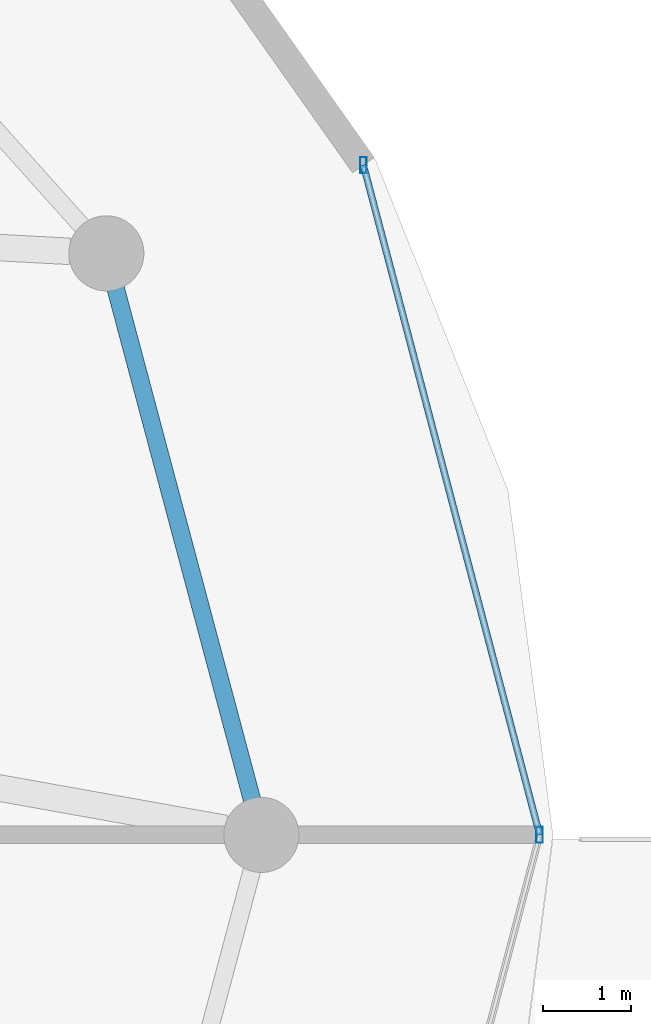
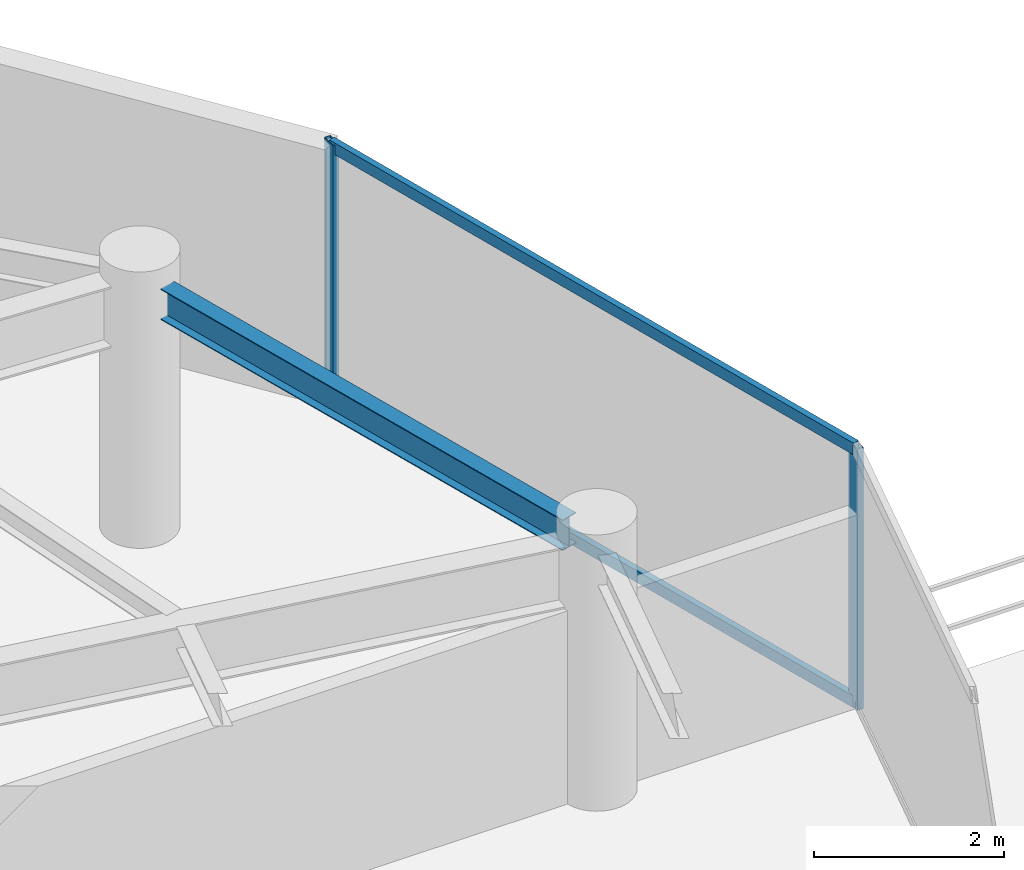
# One storey, part 15 of 29: 4 members, 1 beam, 1 element without a shape of its own.
"""IFC4 building model written with IfcOpenShell, lengths in metres."""

from ifc_helpers import new_model, si_unit, direction, frame, origin, origin_2d, place, context, subcontext, project, spatial, hollow_rectangle, i_section, extrude, material, material_profile, profile_set, type_object, element, aggregate, save


model = new_model("IFC4")

# Units and contexts
model_context = context("Model", 3, precision=1e-05, world=origin(), true_north=direction((0.0, 1.0)))
body_context = subcontext(model_context, "Body", "Model", "MODEL_VIEW")
ifc_project = project(units=[si_unit("LENGTHUNIT", "METRE"), si_unit("AREAUNIT", "SQUARE_METRE"), si_unit("VOLUMEUNIT", "CUBIC_METRE"), si_unit("PLANEANGLEUNIT", "RADIAN"), si_unit("MASSUNIT", "GRAM", prefix="KILO")], contexts=[model_context])

# Site, building, storey
site_placement = place(None, origin())
site = spatial("IfcSite", under=ifc_project, at=site_placement, CompositionType="ELEMENT")
building_placement = place(site_placement, origin())
building = spatial("IfcBuilding", under=site, at=building_placement, Name="Vorneva Point Tower", CompositionType="ELEMENT")
storey_placement = place(building_placement, frame((0.0, 0.0, 273.300048828125)))
storey = spatial("IfcBuildingStorey", under=building, at=storey_placement, Name="L74", CompositionType="ELEMENT", Elevation=273.300048828125)

# Beam
ifc_material_1 = material(Name="Steel S355", Category="steel")
ifc_material_profile_1 = material_profile(ifc_material_1, i_section(OverallWidth=0.198974609375, OverallDepth=0.39599609375, WebThickness=0.007080078125, FlangeThickness=0.010986328125, at=origin_2d()), Name="40B1")
ifc_profile_set_1 = profile_set([ifc_material_profile_1], Name="Steel S355")
beam_type = type_object("IfcBeamType", Name="BM-SPN-40B1", PredefinedType="SPANDREL", material=ifc_profile_set_1)
beam_placement = place(storey_placement, frame((60.9443359375, 26.396240234375, 3.092041015625), z_axis=(-0.257586570866, 0.966255224312, 0.0), x_axis=(-0.966255224312, -0.257586570866, 0.0)))
element("IfcBeam", 1, at=beam_placement, inside=storey, type_object=beam_type, Name="L74 Perimeter Spandrel Ring Beam 01", PredefinedType="SPANDREL", context=body_context, shape_type="SweptSolid", body=[
    extrude(i_section(OverallWidth=0.198974609375, OverallDepth=0.39599609375, WebThickness=0.007080078125, FlangeThickness=0.010986328125, at=origin_2d()), origin(), (0.0, 0.0, 1.0), 5.991943359375),
])

# Curtain wall, members
ifc_material_2 = material(Name="Pale anodised aluminium", Category="aluminium")
curtain_wall_type = type_object("IfcCurtainWallType", Name="CW-RES-SYS", PredefinedType="NOTDEFINED", material=ifc_material_2)
curtain_wall_placement = place(storey_placement, origin())
curtain_wall = element("IfcCurtainWall", 2, at=curtain_wall_placement, inside=storey, type_object=curtain_wall_type, Name="L74 Unitised Curtain Wall CW-L74-R01", PredefinedType="NOTDEFINED")
ifc_material_profile_2 = material_profile(ifc_material_2, hollow_rectangle(XDim=0.074951171875, YDim=0.179931640625, WallThickness=0.00390625, at=origin_2d()), Name="AL-MUL 180x75x4")
ifc_profile_set_2 = profile_set([ifc_material_profile_2], Name="Pale anodised aluminium")
member_type_1 = type_object("IfcMemberType", Name="CW-MUL-180", PredefinedType="MULLION", material=ifc_profile_set_2)
member_1_placement = place(storey_placement, frame((64.199951171875, 26.0, -0.0400390625), z_axis=(0.0, 0.0, 1.0), x_axis=(1.0, 0.0, 0.0)))
member_1 = element("IfcMember", 3, at=member_1_placement, type_object=member_type_1, Name="CW-L74-R01 Mullion 02", PredefinedType="MULLION", context=body_context, shape_type="SweptSolid", body=[
    extrude(hollow_rectangle(XDim=0.074951171875, YDim=0.179931640625, WallThickness=0.00390625, at=origin_2d()), origin(), (0.0, 0.0, 1.0), 3.360107421875),
])
member_2_placement = place(storey_placement, frame((62.20556640625, 33.5810546875, -0.0400390625), z_axis=(0.0, 0.0, 1.0), x_axis=(1.0, 0.0, 0.0)))
member_2 = element("IfcMember", 4, at=member_2_placement, type_object=member_type_1, Name="CW-L74-R01 Mullion 03", PredefinedType="MULLION", context=body_context, shape_type="SweptSolid", body=[
    extrude(hollow_rectangle(XDim=0.074951171875, YDim=0.179931640625, WallThickness=0.00390625, at=origin_2d()), origin(), (0.0, 0.0, 1.0), 3.360107421875),
])
ifc_material_profile_3 = material_profile(ifc_material_2, hollow_rectangle(XDim=0.074951171875, YDim=0.14990234375, WallThickness=0.00390625, at=origin_2d()), Name="AL-TRN 150x75x4")
ifc_profile_set_3 = profile_set([ifc_material_profile_3], Name="Pale anodised aluminium")
member_type_2 = type_object("IfcMemberType", Name="CW-TRN-150", PredefinedType="USERDEFINED", material=ifc_profile_set_3)
member_3_placement = place(storey_placement, frame((64.199951171875, 26.0, 0.02001953125), z_axis=(-0.254418180926, 0.967094302131, 0.0), x_axis=(-0.967094302131, -0.254418180926, 0.0)))
member_3 = element("IfcMember", 5, at=member_3_placement, type_object=member_type_2, Name="CW-L74-R01 Transom 02.1", ObjectType="TRANSOM", PredefinedType="USERDEFINED", context=body_context, shape_type="SweptSolid", body=[
    extrude(hollow_rectangle(XDim=0.074951171875, YDim=0.14990234375, WallThickness=0.00390625, at=origin_2d()), origin(), (0.0, 0.0, 1.0), 7.839111328125),
])
member_4_placement = place(storey_placement, frame((64.199951171875, 26.0, 3.27001953125), z_axis=(-0.254418180926, 0.967094302131, 0.0), x_axis=(-0.967094302131, -0.254418180926, 0.0)))
member_4 = element("IfcMember", 6, at=member_4_placement, type_object=member_type_2, Name="CW-L74-R01 Transom 02.2", ObjectType="TRANSOM", PredefinedType="USERDEFINED", context=body_context, shape_type="SweptSolid", body=[
    extrude(hollow_rectangle(XDim=0.074951171875, YDim=0.14990234375, WallThickness=0.00390625, at=origin_2d()), origin(), (0.0, 0.0, 1.0), 7.839111328125),
])
aggregate(curtain_wall, [member_1, member_2, member_3, member_4])

save(model, "model.ifc")
